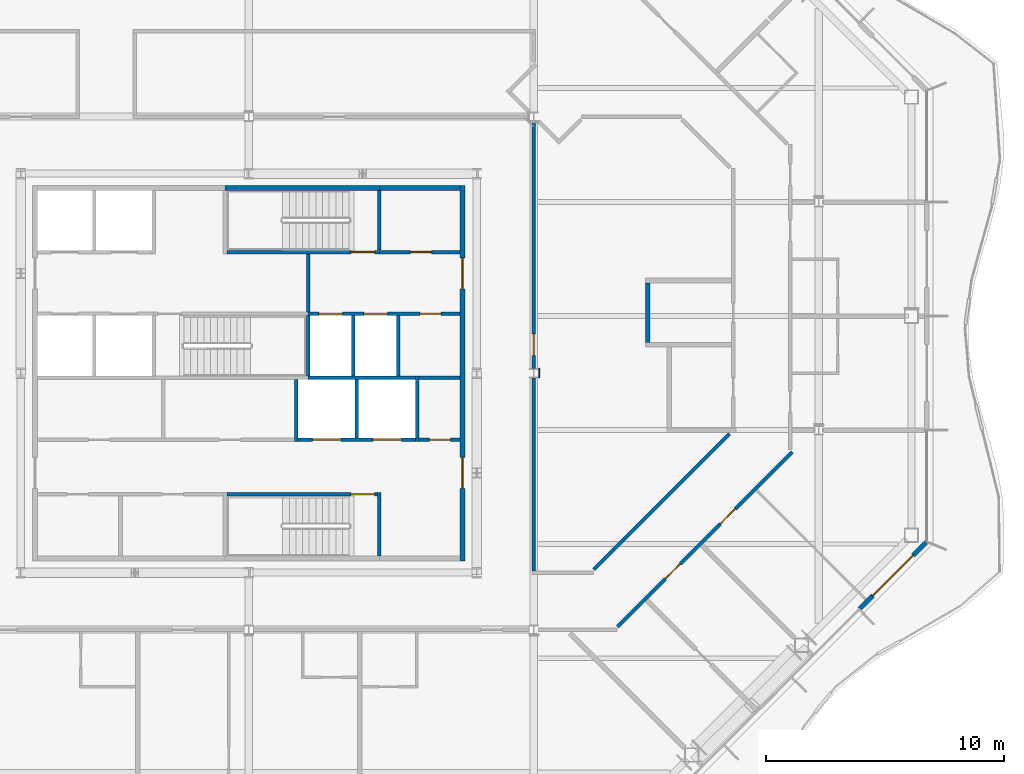
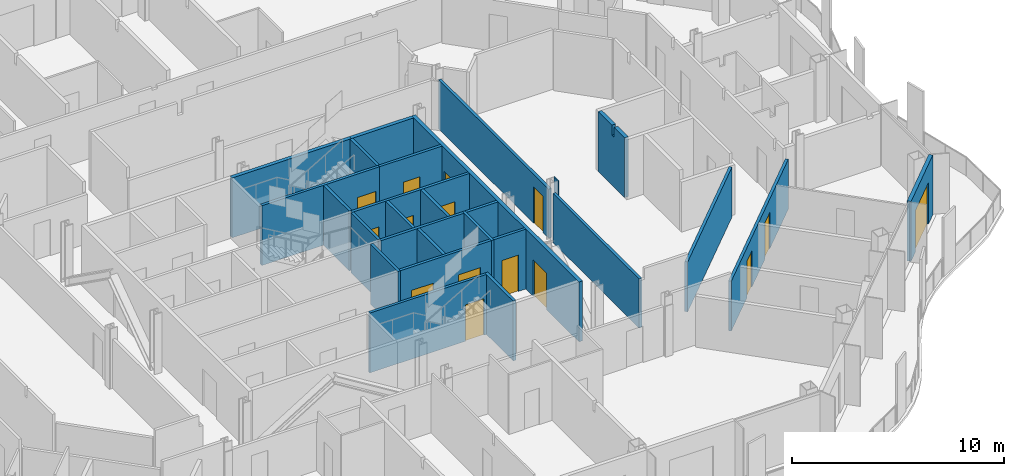
# One storey, part 10 of 20: 27 walls, 15 doors, 15 openings.
"""IFC4 building model written with IfcOpenShell, lengths in metres."""

from ifc_helpers import new_model, si_unit, direction, frame, frame_2d, origin, place, context, subcontext, project, spatial, polyline, rectangle, outline, extrude, material, layer, layer_set, type_object, element, fill, save


model = new_model("IFC4")

# Units and contexts
model_context = context("Model", 3, precision=1e-05, world=origin(), true_north=direction((0.0, 1.0)))
body_context = subcontext(model_context, "Body", "Model", "MODEL_VIEW")
ifc_project = project(units=[si_unit("LENGTHUNIT", "METRE"), si_unit("AREAUNIT", "SQUARE_METRE"), si_unit("VOLUMEUNIT", "CUBIC_METRE"), si_unit("PLANEANGLEUNIT", "RADIAN"), si_unit("MASSUNIT", "GRAM", prefix="KILO")], contexts=[model_context])

# Site, building, storey
site_placement = place(None, origin())
site = spatial("IfcSite", under=ifc_project, at=site_placement, CompositionType="ELEMENT")
building_placement = place(site_placement, origin())
building = spatial("IfcBuilding", under=site, at=building_placement, Name="Cairn Pilgrim Tower", CompositionType="ELEMENT")
storey_placement = place(building_placement, frame((0.0, 0.0, 165.0)))
storey = spatial("IfcBuildingStorey", under=building, at=storey_placement, Name="L41", CompositionType="ELEMENT", Elevation=165.0)

# Wall, opening, door
ifc_material_1 = material(Name="Bronze anodised aluminium insulated sandwich panel with mineral wool fill", Category="aluminium")
ifc_layer_1 = layer(ifc_material_1, 0.199951171875)
ifc_layer_set_1 = layer_set([ifc_layer_1], Name="BRONZE INFILL FRAME WALL 200")
wall_type_1 = type_object("IfcWallType", Name="BRONZE INFILL FRAME WALL 200", PredefinedType="NOTDEFINED", material=ifc_layer_set_1)
wall_1_placement = place(storey_placement, frame((32.92041015625, -7.52587890625, 0.0), z_axis=(0.0, 0.0, 1.0), x_axis=(0.707106781187, 0.707106781187, 0.0)))
wall_1 = element("IfcWall", 1, at=wall_1_placement, inside=storey, type_object=wall_type_1, Name="Bronze infill frame wall IW-SE5", PredefinedType="NOTDEFINED", context=body_context, shape_type="SweptSolid", body=[
    extrude(rectangle(XDim=3.961669921875, YDim=0.199951171875, at=frame_2d((1.98095703125, 0.0))), origin(), (0.0, 0.0, 1.0), 3.449951171875),
])
opening_1_placement = place(wall_1_placement, frame((0.785400390625, 0.0, 0.0)))
opening_1 = element("IfcOpeningElement", 2, at=opening_1_placement, cuts=wall_1, Name="Opening 4105B", PredefinedType="OPENING", context=body_context, shape_type="SweptSolid", body=[
    extrude(rectangle(XDim=2.39990234375, YDim=2.39990234375, at=frame_2d((1.199951171875, 1.199951171875))), frame((0.0, 0.10986328125, 0.0), z_axis=(0.0, -1.0, 0.0), x_axis=(1.0, 0.0, 0.0)), (0.0, 0.0, 1.0), 0.219970703125),
])
ifc_material_2 = material(Name="Bronze anodised aluminium frame with tinted low-E glass", Category="aluminium")
door_type_1 = type_object("IfcDoorType", Name="BALCONY SLIDING DOOR 2400x2400", OperationType="DOUBLE_DOOR_SLIDING", PredefinedType="DOOR", material=ifc_material_2)
door_1_placement = place(opening_1_placement, origin())
door_1 = element("IfcDoor", 3, at=door_1_placement, inside=storey, type_object=door_type_1, Name="Balcony sliding door 4105B", OperationType="SINGLE_SWING_LEFT", OverallHeight=2.39990234375, OverallWidth=2.39990234375, PredefinedType="DOOR", context=body_context, shape_type="SweptSolid", body=[
    extrude(rectangle(XDim=2.39990234375, YDim=2.39990234375, at=frame_2d((1.199951171875, 1.199951171875))), frame((0.0, 0.02490234375, 0.0), z_axis=(0.0, -1.0, 0.0), x_axis=(1.0, 0.0, 0.0)), (0.0, 0.0, 1.0), 0.050048828125),
])
fill(opening_1, door_1)

# Wall
ifc_material_3 = material(Name="Concrete C32/40", Category="concrete")
ifc_layer_2 = layer(ifc_material_3, 0.199951171875)
ifc_layer_set_2 = layer_set([ifc_layer_2], Name="CORE OUTER WALL 200 EI 120")
wall_type_2 = type_object("IfcWallType", Name="CORE OUTER WALL 200 EI 120", PredefinedType="SOLIDWALL", material=ifc_layer_set_2)
wall_2_placement = place(storey_placement, frame((12.699951171875, 10.199951171875, 0.0), z_axis=(0.0, 0.0, 1.0), x_axis=(1.0, 0.0, 0.0)))
element("IfcWall", 4, at=wall_2_placement, inside=storey, type_object=wall_type_2, Name="CW:L41:H12-3", PredefinedType="SOLIDWALL", context=body_context, shape_type="SweptSolid", body=[
    extrude(rectangle(XDim=3.400146484375, YDim=0.199951171875, at=frame_2d((1.7001953125, 0.0))), origin(), (0.0, 0.0, 1.0), 3.449951171875),
])

# Wall, openings, doors
wall_3_placement = place(storey_placement, frame((16.199951171875, -5.5, 0.0), z_axis=(0.0, 0.0, 1.0), x_axis=(0.0, 1.0, 0.0)))
wall_3 = element("IfcWall", 5, at=wall_3_placement, inside=storey, type_object=wall_type_2, Name="CW:L41:V31", PredefinedType="SOLIDWALL", context=body_context, shape_type="SweptSolid", body=[
    extrude(rectangle(XDim=15.800048828125, YDim=0.199951171875, at=frame_2d((7.89990234375, 0.0))), origin(), (0.0, 0.0, 1.0), 3.449951171875),
])
opening_2_placement = place(wall_3_placement, frame((3.050048828125, 0.0, 0.0)))
opening_2 = element("IfcOpeningElement", 6, at=opening_2_placement, cuts=wall_3, Name="Opening CD-E1", PredefinedType="OPENING", context=body_context, shape_type="SweptSolid", body=[
    extrude(rectangle(XDim=1.300048828125, YDim=2.10009765625, at=frame_2d((0.64990234375, 1.050048828125))), frame((0.0, 0.10986328125, 0.0), z_axis=(0.0, -1.0, 0.0), x_axis=(1.0, 0.0, 0.0)), (0.0, 0.0, 1.0), 0.219970703125),
])
opening_3_placement = place(wall_3_placement, frame((11.449951171875, 0.0, 0.0)))
opening_3 = element("IfcOpeningElement", 7, at=opening_3_placement, cuts=wall_3, Name="Opening CD-E2", PredefinedType="OPENING", context=body_context, shape_type="SweptSolid", body=[
    extrude(rectangle(XDim=1.300048828125, YDim=2.10009765625, at=frame_2d((0.64990234375, 1.050048828125))), frame((0.0, 0.10986328125, 0.0), z_axis=(0.0, -1.0, 0.0), x_axis=(1.0, 0.0, 0.0)), (0.0, 0.0, 1.0), 0.219970703125),
])
ifc_material_4 = material(Name="Painted steel", Category="steel")
door_type_2 = type_object("IfcDoorType", Name="CORE LOBBY DOOR 1300x2100", OperationType="DOUBLE_DOOR_SINGLE_SWING", PredefinedType="DOOR", material=ifc_material_4)
door_2_placement = place(opening_2_placement, origin())
door_2 = element("IfcDoor", 8, at=door_2_placement, inside=storey, type_object=door_type_2, Name="CD-E1", OperationType="DOUBLE_DOOR_SINGLE_SWING", OverallHeight=2.10009765625, OverallWidth=1.300048828125, PredefinedType="DOOR", context=body_context, shape_type="SweptSolid", body=[
    extrude(rectangle(XDim=1.300048828125, YDim=2.10009765625, at=frame_2d((0.64990234375, 1.050048828125))), frame((0.0, 0.02490234375, 0.0), z_axis=(0.0, -1.0, 0.0), x_axis=(1.0, 0.0, 0.0)), (0.0, 0.0, 1.0), 0.050048828125),
])
fill(opening_2, door_2)
door_3_placement = place(opening_3_placement, origin())
door_3 = element("IfcDoor", 9, at=door_3_placement, inside=storey, type_object=door_type_2, Name="CD-E2", OperationType="DOUBLE_DOOR_SINGLE_SWING", OverallHeight=2.10009765625, OverallWidth=1.300048828125, PredefinedType="DOOR", context=body_context, shape_type="SweptSolid", body=[
    extrude(rectangle(XDim=1.300048828125, YDim=2.10009765625, at=frame_2d((0.64990234375, 1.050048828125))), frame((0.0, 0.02490234375, 0.0), z_axis=(0.0, -1.0, 0.0), x_axis=(1.0, 0.0, 0.0)), (0.0, 0.0, 1.0), 0.050048828125),
])
fill(opening_3, door_3)

# Wall, opening, door
ifc_layer_3 = layer(ifc_material_3, 0.14990234375)
ifc_layer_set_3 = layer_set([ifc_layer_3], Name="CORE PARTITION 150 EI 60")
wall_type_3 = type_object("IfcWallType", Name="CORE PARTITION 150 EI 60", PredefinedType="PARTITIONING", material=ifc_layer_set_3)
wall_4_placement = place(storey_placement, frame((14.375, -0.39990234375, 0.0), z_axis=(0.0, 0.0, 1.0), x_axis=(1.0, 0.0, 0.0)))
wall_4 = element("IfcWall", 10, at=wall_4_placement, inside=storey, type_object=wall_type_3, Name="CW:L41:H06", PredefinedType="PARTITIONING", context=body_context, shape_type="SweptSolid", body=[
    extrude(rectangle(XDim=1.72509765625, YDim=0.14990234375, at=frame_2d((0.862548828125, 0.0))), origin(), (0.0, 0.0, 1.0), 3.449951171875),
])
opening_4_placement = place(wall_4_placement, frame((0.425048828125, 0.0, 0.0)))
opening_4 = element("IfcOpeningElement", 11, at=opening_4_placement, cuts=wall_4, Name="Opening RD-R2E", PredefinedType="OPENING", context=body_context, shape_type="SweptSolid", body=[
    extrude(rectangle(XDim=0.89990234375, YDim=2.10009765625, at=frame_2d((0.449951171875, 1.050048828125))), frame((0.0, 0.0849609375, 0.0), z_axis=(0.0, -1.0, 0.0), x_axis=(1.0, 0.0, 0.0)), (0.0, 0.0, 1.0), 0.169921875),
])
door_type_3 = type_object("IfcDoorType", Name="SERVICE ROOM DOOR 900x2100", OperationType="SINGLE_SWING_LEFT", PredefinedType="DOOR", material=ifc_material_4)
door_4_placement = place(opening_4_placement, origin())
door_4 = element("IfcDoor", 12, at=door_4_placement, inside=storey, type_object=door_type_3, Name="RD-R2E", OperationType="SINGLE_SWING_RIGHT", OverallHeight=2.10009765625, OverallWidth=0.89990234375, PredefinedType="DOOR", context=body_context, shape_type="SweptSolid", body=[
    extrude(rectangle(XDim=0.89990234375, YDim=2.10009765625, at=frame_2d((0.449951171875, 1.050048828125))), frame((0.0, 0.02490234375, 0.0), z_axis=(0.0, -1.0, 0.0), x_axis=(1.0, 0.0, 0.0)), (0.0, 0.0, 1.0), 0.050048828125),
])
fill(opening_4, door_4)

# Wall
wall_5_placement = place(storey_placement, frame((14.375, 2.199951171875, 0.0), z_axis=(0.0, 0.0, 1.0), x_axis=(1.0, 0.0, 0.0)))
element("IfcWall", 13, at=wall_5_placement, inside=storey, type_object=wall_type_3, Name="CW:L41:H08", PredefinedType="PARTITIONING", context=body_context, shape_type="SweptSolid", body=[
    extrude(rectangle(XDim=1.72509765625, YDim=0.14990234375, at=frame_2d((0.862548828125, 0.0))), origin(), (0.0, 0.0, 1.0), 3.449951171875),
])

# Wall, openings, doors
ifc_layer_4 = layer(ifc_material_3, 0.14990234375)
ifc_layer_set_4 = layer_set([ifc_layer_4], Name="CORE SHAFT WALL 150 EI 120")
wall_type_4 = type_object("IfcWallType", Name="CORE SHAFT WALL 150 EI 120", PredefinedType="SOLIDWALL", material=ifc_layer_set_4)
wall_6_placement = place(storey_placement, frame((9.27490234375, -0.39990234375, 0.0), z_axis=(0.0, 0.0, 1.0), x_axis=(1.0, 0.0, 0.0)))
wall_6 = element("IfcWall", 14, at=wall_6_placement, inside=storey, type_object=wall_type_4, Name="CW:L41:H05", PredefinedType="SOLIDWALL", context=body_context, shape_type="SweptSolid", body=[
    extrude(rectangle(XDim=4.9501953125, YDim=0.14990234375, at=frame_2d((2.47509765625, 0.0))), origin(), (0.0, 0.0, 1.0), 3.449951171875),
])
opening_5_placement = place(wall_6_placement, frame((0.60009765625, 0.0, 0.0)))
opening_5 = element("IfcOpeningElement", 15, at=opening_5_placement, cuts=wall_6, Name="Opening LD-SV1", PredefinedType="OPENING", context=body_context, shape_type="SweptSolid", body=[
    extrude(rectangle(XDim=1.199951171875, YDim=2.10009765625, at=frame_2d((0.60009765625, 1.050048828125))), frame((0.0, 0.0849609375, 0.0), z_axis=(0.0, -1.0, 0.0), x_axis=(1.0, 0.0, 0.0)), (0.0, 0.0, 1.0), 0.169921875),
])
opening_6_placement = place(wall_6_placement, frame((3.14990234375, 0.0, 0.0)))
opening_6 = element("IfcOpeningElement", 16, at=opening_6_placement, cuts=wall_6, Name="Opening LD-SV2", PredefinedType="OPENING", context=body_context, shape_type="SweptSolid", body=[
    extrude(rectangle(XDim=1.199951171875, YDim=2.10009765625, at=frame_2d((0.60009765625, 1.050048828125))), frame((0.0, 0.0849609375, 0.0), z_axis=(0.0, -1.0, 0.0), x_axis=(1.0, 0.0, 0.0)), (0.0, 0.0, 1.0), 0.169921875),
])
ifc_material_5 = material(Name="Stainless steel", Category="steel")
door_type_4 = type_object("IfcDoorType", Name="LIFT LANDING DOOR 1200x2100", OperationType="DOUBLE_DOOR_SLIDING", PredefinedType="DOOR", material=ifc_material_5)
door_5_placement = place(opening_5_placement, origin())
door_5 = element("IfcDoor", 17, at=door_5_placement, inside=storey, type_object=door_type_4, Name="LANDING DOOR SV1", OperationType="DOUBLE_DOOR_SLIDING", OverallHeight=2.10009765625, OverallWidth=1.199951171875, PredefinedType="DOOR", context=body_context, shape_type="SweptSolid", body=[
    extrude(rectangle(XDim=1.199951171875, YDim=2.10009765625, at=frame_2d((0.60009765625, 1.050048828125))), frame((0.0, 0.02490234375, 0.0), z_axis=(0.0, -1.0, 0.0), x_axis=(1.0, 0.0, 0.0)), (0.0, 0.0, 1.0), 0.050048828125),
])
fill(opening_5, door_5)
door_6_placement = place(opening_6_placement, origin())
door_6 = element("IfcDoor", 18, at=door_6_placement, inside=storey, type_object=door_type_4, Name="LANDING DOOR SV2", OperationType="DOUBLE_DOOR_SLIDING", OverallHeight=2.10009765625, OverallWidth=1.199951171875, PredefinedType="DOOR", context=body_context, shape_type="SweptSolid", body=[
    extrude(rectangle(XDim=1.199951171875, YDim=2.10009765625, at=frame_2d((0.60009765625, 1.050048828125))), frame((0.0, 0.02490234375, 0.0), z_axis=(0.0, -1.0, 0.0), x_axis=(1.0, 0.0, 0.0)), (0.0, 0.0, 1.0), 0.050048828125),
])
fill(opening_6, door_6)

# Wall
wall_7_placement = place(storey_placement, frame((9.699951171875, 2.199951171875, 0.0), z_axis=(0.0, 0.0, 1.0), x_axis=(1.0, 0.0, 0.0)))
element("IfcWall", 19, at=wall_7_placement, inside=storey, type_object=wall_type_4, Name="CW:L41:H07-3", PredefinedType="SOLIDWALL", context=body_context, shape_type="SweptSolid", body=[
    extrude(rectangle(XDim=4.525146484375, YDim=0.14990234375, at=frame_2d((2.2626953125, 0.0))), origin(), (0.0, 0.0, 1.0), 3.449951171875),
])

# Wall, openings, doors
wall_8_placement = place(storey_placement, frame((9.699951171875, 4.89990234375, 0.0), z_axis=(0.0, 0.0, 1.0), x_axis=(1.0, 0.0, 0.0)))
wall_8 = element("IfcWall", 20, at=wall_8_placement, inside=storey, type_object=wall_type_4, Name="CW:L41:H09-3", PredefinedType="SOLIDWALL", context=body_context, shape_type="SweptSolid", body=[
    extrude(rectangle(XDim=6.400146484375, YDim=0.14990234375, at=frame_2d((3.2001953125, 0.0))), origin(), (0.0, 0.0, 1.0), 3.449951171875),
])
opening_7_placement = place(wall_8_placement, frame((0.449951171875, 0.0, 0.0)))
opening_7 = element("IfcOpeningElement", 21, at=opening_7_placement, cuts=wall_8, Name="Opening LD-FF1", PredefinedType="OPENING", context=body_context, shape_type="SweptSolid", body=[
    extrude(rectangle(XDim=1.0, YDim=2.10009765625, at=frame_2d((0.5, 1.050048828125))), frame((0.0, 0.0849609375, 0.0), z_axis=(0.0, -1.0, 0.0), x_axis=(1.0, 0.0, 0.0)), (0.0, 0.0, 1.0), 0.169921875),
])
opening_8_placement = place(wall_8_placement, frame((2.35009765625, 0.0, 0.0)))
opening_8 = element("IfcOpeningElement", 22, at=opening_8_placement, cuts=wall_8, Name="Opening LD-FF2", PredefinedType="OPENING", context=body_context, shape_type="SweptSolid", body=[
    extrude(rectangle(XDim=1.0, YDim=2.10009765625, at=frame_2d((0.5, 1.050048828125))), frame((0.0, 0.0849609375, 0.0), z_axis=(0.0, -1.0, 0.0), x_axis=(1.0, 0.0, 0.0)), (0.0, 0.0, 1.0), 0.169921875),
])
opening_9_placement = place(wall_8_placement, frame((4.699951171875, 0.0, 0.0)))
opening_9 = element("IfcOpeningElement", 23, at=opening_9_placement, cuts=wall_8, Name="Opening RD-R3E", PredefinedType="OPENING", context=body_context, shape_type="SweptSolid", body=[
    extrude(rectangle(XDim=0.89990234375, YDim=2.10009765625, at=frame_2d((0.449951171875, 1.050048828125))), frame((0.0, 0.0849609375, 0.0), z_axis=(0.0, -1.0, 0.0), x_axis=(1.0, 0.0, 0.0)), (0.0, 0.0, 1.0), 0.169921875),
])
door_type_5 = type_object("IfcDoorType", Name="LIFT LANDING DOOR FIRE 1000x2100", OperationType="DOUBLE_DOOR_SLIDING", PredefinedType="DOOR", material=ifc_material_5)
door_7_placement = place(opening_7_placement, origin())
door_7 = element("IfcDoor", 24, at=door_7_placement, inside=storey, type_object=door_type_5, Name="LANDING DOOR FF1", OperationType="DOUBLE_DOOR_SLIDING", OverallHeight=2.10009765625, OverallWidth=1.0, PredefinedType="DOOR", context=body_context, shape_type="SweptSolid", body=[
    extrude(rectangle(XDim=1.0, YDim=2.10009765625, at=frame_2d((0.5, 1.050048828125))), frame((0.0, 0.02490234375, 0.0), z_axis=(0.0, -1.0, 0.0), x_axis=(1.0, 0.0, 0.0)), (0.0, 0.0, 1.0), 0.050048828125),
])
fill(opening_7, door_7)
door_8_placement = place(opening_8_placement, origin())
door_8 = element("IfcDoor", 25, at=door_8_placement, inside=storey, type_object=door_type_5, Name="LANDING DOOR FF2", OperationType="DOUBLE_DOOR_SLIDING", OverallHeight=2.10009765625, OverallWidth=1.0, PredefinedType="DOOR", context=body_context, shape_type="SweptSolid", body=[
    extrude(rectangle(XDim=1.0, YDim=2.10009765625, at=frame_2d((0.5, 1.050048828125))), frame((0.0, 0.02490234375, 0.0), z_axis=(0.0, -1.0, 0.0), x_axis=(1.0, 0.0, 0.0)), (0.0, 0.0, 1.0), 0.050048828125),
])
fill(opening_8, door_8)
door_9_placement = place(opening_9_placement, origin())
door_9 = element("IfcDoor", 26, at=door_9_placement, inside=storey, type_object=door_type_3, Name="RD-R3E", OperationType="SINGLE_SWING_LEFT", OverallHeight=2.10009765625, OverallWidth=0.89990234375, PredefinedType="DOOR", context=body_context, shape_type="SweptSolid", body=[
    extrude(rectangle(XDim=0.89990234375, YDim=2.10009765625, at=frame_2d((0.449951171875, 1.050048828125))), frame((0.0, 0.02490234375, 0.0), z_axis=(0.0, -1.0, 0.0), x_axis=(1.0, 0.0, 0.0)), (0.0, 0.0, 1.0), 0.050048828125),
])
fill(opening_9, door_9)

# Wall, opening, door
wall_9_placement = place(storey_placement, frame((12.699951171875, 7.5, 0.0), z_axis=(0.0, 0.0, 1.0), x_axis=(1.0, 0.0, 0.0)))
wall_9 = element("IfcWall", 27, at=wall_9_placement, inside=storey, type_object=wall_type_4, Name="CW:L41:H11-2", PredefinedType="SOLIDWALL", context=body_context, shape_type="SweptSolid", body=[
    extrude(rectangle(XDim=3.400146484375, YDim=0.14990234375, at=frame_2d((1.7001953125, 0.0))), origin(), (0.0, 0.0, 1.0), 3.449951171875),
])
opening_10_placement = place(wall_9_placement, frame((1.300048828125, 0.0, 0.0)))
opening_10 = element("IfcOpeningElement", 28, at=opening_10_placement, cuts=wall_9, Name="Opening RD-R4E", PredefinedType="OPENING", context=body_context, shape_type="SweptSolid", body=[
    extrude(rectangle(XDim=0.89990234375, YDim=2.10009765625, at=frame_2d((0.449951171875, 1.050048828125))), frame((0.0, 0.0849609375, 0.0), z_axis=(0.0, -1.0, 0.0), x_axis=(1.0, 0.0, 0.0)), (0.0, 0.0, 1.0), 0.169921875),
])
door_10_placement = place(opening_10_placement, origin())
door_10 = element("IfcDoor", 29, at=door_10_placement, inside=storey, type_object=door_type_3, Name="RD-R4E", OperationType="SINGLE_SWING_RIGHT", OverallHeight=2.10009765625, OverallWidth=0.89990234375, PredefinedType="DOOR", context=body_context, shape_type="SweptSolid", body=[
    extrude(rectangle(XDim=0.89990234375, YDim=2.10009765625, at=frame_2d((0.449951171875, 1.050048828125))), frame((0.0, 0.02490234375, 0.0), z_axis=(0.0, -1.0, 0.0), x_axis=(1.0, 0.0, 0.0)), (0.0, 0.0, 1.0), 0.050048828125),
])
fill(opening_10, door_10)

# Walls
wall_10_placement = place(storey_placement, frame((9.199951171875, -0.47509765625, 0.0), z_axis=(0.0, 0.0, 1.0), x_axis=(0.0, 1.0, 0.0)))
element("IfcWall", 30, at=wall_10_placement, inside=storey, type_object=wall_type_4, Name="CW:L41:V22", PredefinedType="SOLIDWALL", context=body_context, shape_type="SweptSolid", body=[
    extrude(rectangle(XDim=2.60009765625, YDim=0.14990234375, at=frame_2d((1.300048828125, 0.0))), origin(), (0.0, 0.0, 1.0), 3.449951171875),
])
wall_11_placement = place(storey_placement, frame((9.699951171875, 4.97509765625, 0.0), z_axis=(0.0, 0.0, 1.0), x_axis=(0.0, 1.0, 0.0)))
element("IfcWall", 31, at=wall_11_placement, inside=storey, type_object=wall_type_4, Name="CW:L41:V24", PredefinedType="SOLIDWALL", context=body_context, shape_type="SweptSolid", body=[
    extrude(rectangle(XDim=2.449951171875, YDim=0.14990234375, at=frame_2d((1.22509765625, 0.0))), origin(), (0.0, 0.0, 1.0), 3.449951171875),
])
wall_12_placement = place(storey_placement, frame((11.60009765625, 2.27490234375, 0.0), z_axis=(0.0, 0.0, 1.0), x_axis=(0.0, 1.0, 0.0)))
element("IfcWall", 32, at=wall_12_placement, inside=storey, type_object=wall_type_4, Name="CW:L41:V25", PredefinedType="SOLIDWALL", context=body_context, shape_type="SweptSolid", body=[
    extrude(rectangle(XDim=2.550048828125, YDim=0.14990234375, at=frame_2d((1.27490234375, 0.0))), origin(), (0.0, 0.0, 1.0), 3.449951171875),
])
wall_13_placement = place(storey_placement, frame((11.75, -0.324951171875, 0.0), z_axis=(0.0, 0.0, 1.0), x_axis=(0.0, 1.0, 0.0)))
element("IfcWall", 33, at=wall_13_placement, inside=storey, type_object=wall_type_4, Name="CW:L41:V26", PredefinedType="SOLIDWALL", context=body_context, shape_type="SweptSolid", body=[
    extrude(rectangle(XDim=2.449951171875, YDim=0.14990234375, at=frame_2d((1.22509765625, 0.0))), origin(), (0.0, 0.0, 1.0), 3.449951171875),
])
wall_14_placement = place(storey_placement, frame((13.5, 2.27490234375, 0.0), z_axis=(0.0, 0.0, 1.0), x_axis=(0.0, 1.0, 0.0)))
element("IfcWall", 34, at=wall_14_placement, inside=storey, type_object=wall_type_4, Name="CW:L41:V29", PredefinedType="SOLIDWALL", context=body_context, shape_type="SweptSolid", body=[
    extrude(rectangle(XDim=2.550048828125, YDim=0.14990234375, at=frame_2d((1.27490234375, 0.0))), origin(), (0.0, 0.0, 1.0), 3.449951171875),
])
wall_15_placement = place(storey_placement, frame((14.300048828125, -0.47509765625, 0.0), z_axis=(0.0, 0.0, 1.0), x_axis=(0.0, 1.0, 0.0)))
element("IfcWall", 35, at=wall_15_placement, inside=storey, type_object=wall_type_4, Name="CW:L41:V30", PredefinedType="SOLIDWALL", context=body_context, shape_type="SweptSolid", body=[
    extrude(rectangle(XDim=2.75, YDim=0.14990234375, at=frame_2d((1.375, 0.0))), origin(), (0.0, 0.0, 1.0), 3.449951171875),
])

# Wall, openings, doors
ifc_material_6 = material(Name="Gypsum partition")
ifc_layer_5 = layer(ifc_material_6, 0.14990234375)
ifc_layer_set_5 = layer_set([ifc_layer_5], Name="PARTITION 150 DRYWALL EI 60")
wall_type_5 = type_object("IfcWallType", Name="PARTITION 150 DRYWALL EI 60", PredefinedType="PARTITIONING", material=ifc_layer_set_5)
wall_16_placement = place(storey_placement, frame((22.721923828125, -8.27197265625, 0.0), z_axis=(0.0, 0.0, 1.0), x_axis=(0.707106781187, 0.707106781187, 0.0)))
wall_16 = element("IfcWall", 36, at=wall_16_placement, inside=storey, type_object=wall_type_5, Name="PARTITION W026", PredefinedType="PARTITIONING", context=body_context, shape_type="SweptSolid", body=[
    extrude(rectangle(XDim=10.398681640625, YDim=0.14990234375, at=frame_2d((5.19921875, 0.0))), origin(), (0.0, 0.0, 1.0), 2.8798828125),
])
opening_11_placement = place(wall_16_placement, frame((2.846435546875, 0.0, 0.0)))
opening_11 = element("IfcOpeningElement", 37, at=opening_11_placement, cuts=wall_16, Name="Opening 4103", PredefinedType="OPENING", context=body_context, shape_type="SweptSolid", body=[
    extrude(rectangle(XDim=0.89990234375, YDim=2.10009765625, at=frame_2d((0.449951171875, 1.050048828125))), frame((0.0, 0.0849609375, 0.0), z_axis=(0.0, -1.0, 0.0), x_axis=(1.0, 0.0, 0.0)), (0.0, 0.0, 1.0), 0.169921875),
])
opening_12_placement = place(wall_16_placement, frame((6.115966796875, 0.0, 0.0)))
opening_12 = element("IfcOpeningElement", 38, at=opening_12_placement, cuts=wall_16, Name="Opening 4104", PredefinedType="OPENING", context=body_context, shape_type="SweptSolid", body=[
    extrude(rectangle(XDim=0.89990234375, YDim=2.10009765625, at=frame_2d((0.449951171875, 1.050048828125))), frame((0.0, 0.0849609375, 0.0), z_axis=(0.0, -1.0, 0.0), x_axis=(1.0, 0.0, 0.0)), (0.0, 0.0, 1.0), 0.169921875),
])
ifc_material_7 = material(Name="Timber door leaf", Category="wood")
door_type_6 = type_object("IfcDoorType", Name="ROOM DOOR 900x2100 FD30S", OperationType="NOTDEFINED", PredefinedType="DOOR", material=ifc_material_7)
door_11_placement = place(opening_12_placement, frame((0.89990234375, 0.0, 0.0), z_axis=(0.0, 0.0, 1.0), x_axis=(-1.0, 0.0, 0.0)))
door_11 = element("IfcDoor", 39, at=door_11_placement, inside=storey, type_object=door_type_6, Name="DOOR 4104", OperationType="SINGLE_SWING_RIGHT", OverallHeight=2.10009765625, OverallWidth=0.89990234375, PredefinedType="DOOR", context=body_context, shape_type="SweptSolid", body=[
    extrude(rectangle(XDim=0.89990234375, YDim=2.10009765625, at=frame_2d((0.449951171875, 1.050048828125))), frame((0.0, 0.02490234375, 0.0), z_axis=(0.0, -1.0, 0.0), x_axis=(1.0, 0.0, 0.0)), (0.0, 0.0, 1.0), 0.050048828125),
])
fill(opening_12, door_11)
door_type_7 = type_object("IfcDoorType", Name="SERVICE DOOR 900x2100 FD30S", OperationType="NOTDEFINED", PredefinedType="DOOR", material=ifc_material_7)
door_12_placement = place(opening_11_placement, frame((0.89990234375, 0.0, 0.0), z_axis=(0.0, 0.0, 1.0), x_axis=(-1.0, 0.0, 0.0)))
door_12 = element("IfcDoor", 40, at=door_12_placement, inside=storey, type_object=door_type_7, Name="DOOR 4103", OperationType="SINGLE_SWING_RIGHT", OverallHeight=2.10009765625, OverallWidth=0.89990234375, PredefinedType="DOOR", context=body_context, shape_type="SweptSolid", body=[
    extrude(rectangle(XDim=0.89990234375, YDim=2.10009765625, at=frame_2d((0.449951171875, 1.050048828125))), frame((0.0, 0.02490234375, 0.0), z_axis=(0.0, -1.0, 0.0), x_axis=(1.0, 0.0, 0.0)), (0.0, 0.0, 1.0), 0.050048828125),
])
fill(opening_11, door_12)

# Walls
wall_17_placement = place(storey_placement, frame((19.199951171875, -5.925048828125, 0.0), z_axis=(0.0, 0.0, 1.0), x_axis=(0.0, 1.0, 0.0)))
element("IfcWall", 41, at=wall_17_placement, inside=storey, type_object=wall_type_5, Name="PARTITION W034", PredefinedType="PARTITIONING", context=body_context, shape_type="SweptSolid", body=[
    extrude(rectangle(XDim=8.128662109375, YDim=0.14990234375, at=frame_2d((4.064453125, 0.0))), origin(), (0.0, 0.0, 1.0), 2.830078125),
])
wall_18_placement = place(storey_placement, frame((21.72802734375, -5.8720703125, 0.0), z_axis=(0.0, 0.0, 1.0), x_axis=(0.707106781187, 0.707106781187, 0.0)))
element("IfcWall", 42, at=wall_18_placement, inside=storey, type_object=wall_type_5, Name="PARTITION W035", PredefinedType="PARTITIONING", context=body_context, shape_type="SweptSolid", body=[
    extrude(rectangle(XDim=8.087890625, YDim=0.14990234375, at=frame_2d((4.0439453125, 0.0))), origin(), (0.0, 0.0, 1.0), 2.8798828125),
])

# Wall, opening, door
wall_19_placement = place(storey_placement, frame((19.199951171875, 2.596435546875, 0.0), z_axis=(0.0, 0.0, 1.0), x_axis=(0.0, 1.0, 0.0)))
wall_19 = element("IfcWall", 43, at=wall_19_placement, inside=storey, type_object=wall_type_5, Name="PARTITION W052", PredefinedType="PARTITIONING", context=body_context, shape_type="SweptSolid", body=[
    extrude(rectangle(XDim=10.406982421875, YDim=0.14990234375, at=frame_2d((5.20361328125, 0.0))), origin(), (0.0, 0.0, 1.0), 2.830078125),
])
opening_13_placement = place(wall_19_placement, frame((0.553466796875, 0.0, 0.0)))
opening_13 = element("IfcOpeningElement", 44, at=opening_13_placement, cuts=wall_19, Name="Opening 4126", PredefinedType="OPENING", context=body_context, shape_type="SweptSolid", body=[
    extrude(rectangle(XDim=0.89990234375, YDim=2.10009765625, at=frame_2d((0.449951171875, 1.050048828125))), frame((0.0, 0.0849609375, 0.0), z_axis=(0.0, -1.0, 0.0), x_axis=(1.0, 0.0, 0.0)), (0.0, 0.0, 1.0), 0.169921875),
])
door_13_placement = place(opening_13_placement, frame((0.89990234375, 0.0, 0.0), z_axis=(0.0, 0.0, 1.0), x_axis=(-1.0, 0.0, 0.0)))
door_13 = element("IfcDoor", 45, at=door_13_placement, inside=storey, type_object=door_type_7, Name="DOOR 4126", OperationType="SINGLE_SWING_RIGHT", OverallHeight=2.10009765625, OverallWidth=0.89990234375, PredefinedType="DOOR", context=body_context, shape_type="SweptSolid", body=[
    extrude(rectangle(XDim=0.89990234375, YDim=2.10009765625, at=frame_2d((0.449951171875, 1.050048828125))), frame((0.0, 0.02490234375, 0.0), z_axis=(0.0, -1.0, 0.0), x_axis=(1.0, 0.0, 0.0)), (0.0, 0.0, 1.0), 0.050048828125),
])
fill(opening_13, door_13)

# Walls
ifc_layer_6 = layer(ifc_material_6, 0.050048828125)
ifc_layer_set_6 = layer_set([ifc_layer_6], Name="PARTITION 50 DRYWALL EI 60")
wall_type_6 = type_object("IfcWallType", Name="PARTITION 50 DRYWALL EI 60", PredefinedType="PARTITIONING", material=ifc_layer_set_6)
wall_20_placement = place(storey_placement, frame((19.424560546875, 2.20361328125, 0.0), z_axis=(0.0, 0.0, 1.0), x_axis=(0.0, 1.0, 0.0)))
element("IfcWall", 46, at=wall_20_placement, inside=storey, type_object=wall_type_6, Name="COLUMN CASING WC15", PredefinedType="PARTITIONING", context=body_context, shape_type="SweptSolid", body=[
    extrude(rectangle(XDim=0.392822265625, YDim=0.050048828125, at=frame_2d((0.1962890625, 0.0))), origin(), (0.0, 0.0, 1.0), 3.449951171875),
])
ifc_layer_7 = layer(ifc_material_6, 0.199951171875)
ifc_layer_set_7 = layer_set([ifc_layer_7], Name="SHAFT WALL 200 GYPSUM EI 60")
wall_type_7 = type_object("IfcWallType", Name="SHAFT WALL 200 GYPSUM EI 60", PredefinedType="PARTITIONING", material=ifc_layer_set_7)
wall_21_placement = place(storey_placement, frame((24.0, 3.699951171875, 0.0), z_axis=(0.0, 0.0, 1.0), x_axis=(0.0, 1.0, 0.0)))
element("IfcWall", 47, at=wall_21_placement, inside=storey, type_object=wall_type_7, Name="PARTITION W054", PredefinedType="PARTITIONING", context=body_context, shape_type="SweptSolid", body=[
    extrude(outline(polyline([(0.0, 0.0), (2.5, 0.0), (2.5, 3.449951171875), (1.205078125, 3.449951171875), (1.202880859375, 2.8798828125), (0.9951171875, 2.8798828125), (0.992919921875, 3.449951171875), (0.0, 3.449951171875), (0.0, 0.0)])), frame((0.0, 0.10009765625, 0.0), z_axis=(0.0, -1.0, 0.0), x_axis=(1.0, 0.0, 0.0)), (0.0, 0.0, 1.0), 0.199951171875),
])

# Wall, opening, door
ifc_material_8 = material(Name="Concrete C35/45", Category="concrete")
ifc_layer_8 = layer(ifc_material_8, 0.14990234375)
ifc_layer_set_8 = layer_set([ifc_layer_8], Name="STAIR SHAFT WALL 150 EI 120")
wall_type_8 = type_object("IfcWallType", Name="STAIR SHAFT WALL 150 EI 120", PredefinedType="SOLIDWALL", material=ifc_layer_set_8)
wall_22_placement = place(storey_placement, frame((6.27490234375, -2.699951171875, 0.0), z_axis=(0.0, 0.0, 1.0), x_axis=(1.0, 0.0, 0.0)))
wall_22 = element("IfcWall", 48, at=wall_22_placement, inside=storey, type_object=wall_type_8, Name="CW:L41:H03", PredefinedType="SOLIDWALL", context=body_context, shape_type="SweptSolid", body=[
    extrude(rectangle(XDim=6.35009765625, YDim=0.14990234375, at=frame_2d((3.175048828125, 0.0))), origin(), (0.0, 0.0, 1.0), 3.449951171875),
])
opening_14_placement = place(wall_22_placement, frame((5.22509765625, 0.0, 0.0)))
opening_14 = element("IfcOpeningElement", 49, at=opening_14_placement, cuts=wall_22, Name="Opening SD-A", PredefinedType="OPENING", context=body_context, shape_type="SweptSolid", body=[
    extrude(rectangle(XDim=1.0, YDim=2.10009765625, at=frame_2d((0.5, 1.050048828125))), frame((0.0, 0.0849609375, 0.0), z_axis=(0.0, -1.0, 0.0), x_axis=(1.0, 0.0, 0.0)), (0.0, 0.0, 1.0), 0.169921875),
])
door_type_8 = type_object("IfcDoorType", Name="STAIR DOOR FD60S 1000x2100", OperationType="SINGLE_SWING_LEFT", PredefinedType="DOOR", material=ifc_material_4)
door_14_placement = place(opening_14_placement, origin())
door_14 = element("IfcDoor", 50, at=door_14_placement, inside=storey, type_object=door_type_8, Name="SD-A", OperationType="SINGLE_SWING_LEFT", OverallHeight=2.10009765625, OverallWidth=1.0, PredefinedType="DOOR", context=body_context, shape_type="SweptSolid", body=[
    extrude(rectangle(XDim=1.0, YDim=2.10009765625, at=frame_2d((0.5, 1.050048828125))), frame((0.0, 0.02490234375, 0.0), z_axis=(0.0, -1.0, 0.0), x_axis=(1.0, 0.0, 0.0)), (0.0, 0.0, 1.0), 0.050048828125),
])
fill(opening_14, door_14)

wall_23_placement = place(storey_placement, frame((6.27490234375, 7.5, 0.0), z_axis=(0.0, 0.0, 1.0), x_axis=(1.0, 0.0, 0.0)))
wall_23 = element("IfcWall", 51, at=wall_23_placement, inside=storey, type_object=wall_type_8, Name="CW:L41:H11-1", PredefinedType="SOLIDWALL", context=body_context, shape_type="SweptSolid", body=[
    extrude(rectangle(XDim=6.425048828125, YDim=0.14990234375, at=frame_2d((3.21240234375, 0.0))), origin(), (0.0, 0.0, 1.0), 3.449951171875),
])
opening_15_placement = place(wall_23_placement, frame((5.22509765625, 0.0, 0.0)))
opening_15 = element("IfcOpeningElement", 52, at=opening_15_placement, cuts=wall_23, Name="Opening SD-C", PredefinedType="OPENING", context=body_context, shape_type="SweptSolid", body=[
    extrude(rectangle(XDim=1.0, YDim=2.10009765625, at=frame_2d((0.5, 1.050048828125))), frame((0.0, 0.0849609375, 0.0), z_axis=(0.0, -1.0, 0.0), x_axis=(1.0, 0.0, 0.0)), (0.0, 0.0, 1.0), 0.169921875),
])
door_15_placement = place(opening_15_placement, origin())
door_15 = element("IfcDoor", 53, at=door_15_placement, inside=storey, type_object=door_type_8, Name="SD-C", OperationType="SINGLE_SWING_LEFT", OverallHeight=2.10009765625, OverallWidth=1.0, PredefinedType="DOOR", context=body_context, shape_type="SweptSolid", body=[
    extrude(rectangle(XDim=1.0, YDim=2.10009765625, at=frame_2d((0.5, 1.050048828125))), frame((0.0, 0.02490234375, 0.0), z_axis=(0.0, -1.0, 0.0), x_axis=(1.0, 0.0, 0.0)), (0.0, 0.0, 1.0), 0.050048828125),
])
fill(opening_15, door_15)

# Walls
wall_24_placement = place(storey_placement, frame((9.699951171875, 2.27490234375, 0.0), z_axis=(0.0, 0.0, 1.0), x_axis=(0.0, 1.0, 0.0)))
element("IfcWall", 54, at=wall_24_placement, inside=storey, type_object=wall_type_8, Name="CW:L41:V23", PredefinedType="SOLIDWALL", context=body_context, shape_type="SweptSolid", body=[
    extrude(rectangle(XDim=2.550048828125, YDim=0.14990234375, at=frame_2d((1.27490234375, 0.0))), origin(), (0.0, 0.0, 1.0), 3.449951171875),
])
wall_25_placement = place(storey_placement, frame((12.699951171875, -5.300048828125, 0.0), z_axis=(0.0, 0.0, 1.0), x_axis=(0.0, 1.0, 0.0)))
element("IfcWall", 55, at=wall_25_placement, inside=storey, type_object=wall_type_8, Name="CW:L41:V27", PredefinedType="SOLIDWALL", context=body_context, shape_type="SweptSolid", body=[
    extrude(rectangle(XDim=2.675048828125, YDim=0.14990234375, at=frame_2d((1.33740234375, 0.0))), origin(), (0.0, 0.0, 1.0), 3.449951171875),
])
wall_26_placement = place(storey_placement, frame((12.699951171875, 7.574951171875, 0.0), z_axis=(0.0, 0.0, 1.0), x_axis=(0.0, 1.0, 0.0)))
element("IfcWall", 56, at=wall_26_placement, inside=storey, type_object=wall_type_8, Name="CW:L41:V28", PredefinedType="SOLIDWALL", context=body_context, shape_type="SweptSolid", body=[
    extrude(rectangle(XDim=2.525146484375, YDim=0.14990234375, at=frame_2d((1.2626953125, 0.0))), origin(), (0.0, 0.0, 1.0), 3.449951171875),
])
ifc_layer_9 = layer(ifc_material_8, 0.199951171875)
ifc_layer_set_9 = layer_set([ifc_layer_9], Name="STAIR SHAFT WALL 200 EI 120")
wall_type_9 = type_object("IfcWallType", Name="STAIR SHAFT WALL 200 EI 120", PredefinedType="SOLIDWALL", material=ifc_layer_set_9)
wall_27_placement = place(storey_placement, frame((6.199951171875, 10.199951171875, 0.0), z_axis=(0.0, 0.0, 1.0), x_axis=(1.0, 0.0, 0.0)))
element("IfcWall", 57, at=wall_27_placement, inside=storey, type_object=wall_type_9, Name="CW:L41:H12-2", PredefinedType="SOLIDWALL", context=body_context, shape_type="SweptSolid", body=[
    extrude(rectangle(XDim=6.5, YDim=0.199951171875, at=frame_2d((3.25, 0.0))), origin(), (0.0, 0.0, 1.0), 3.449951171875),
])

save(model, "model.ifc")
